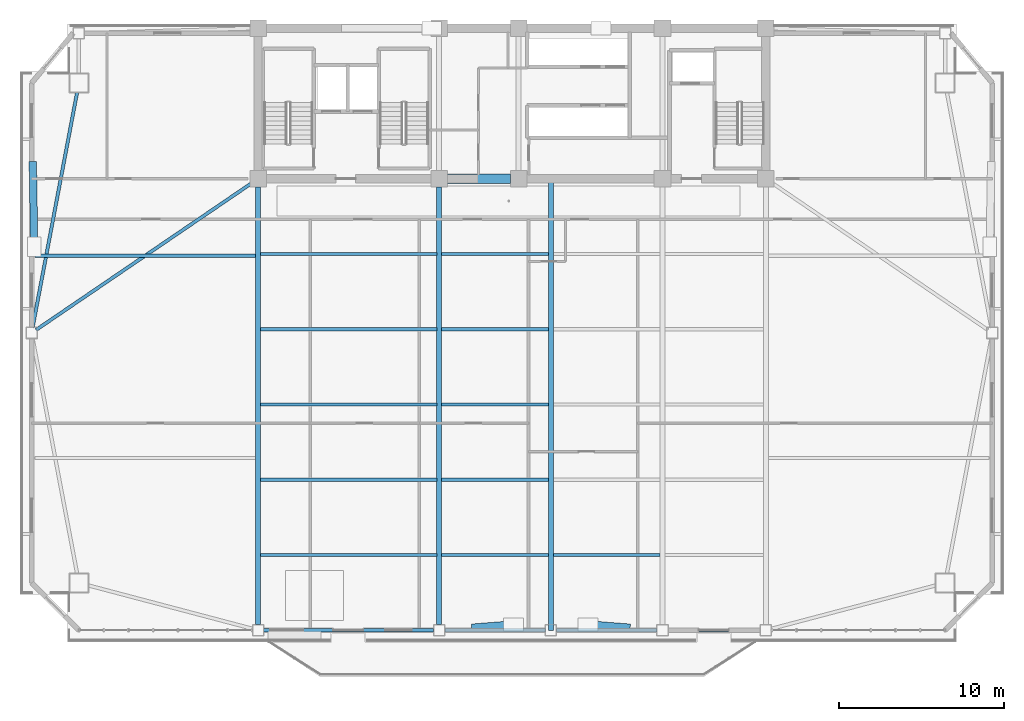
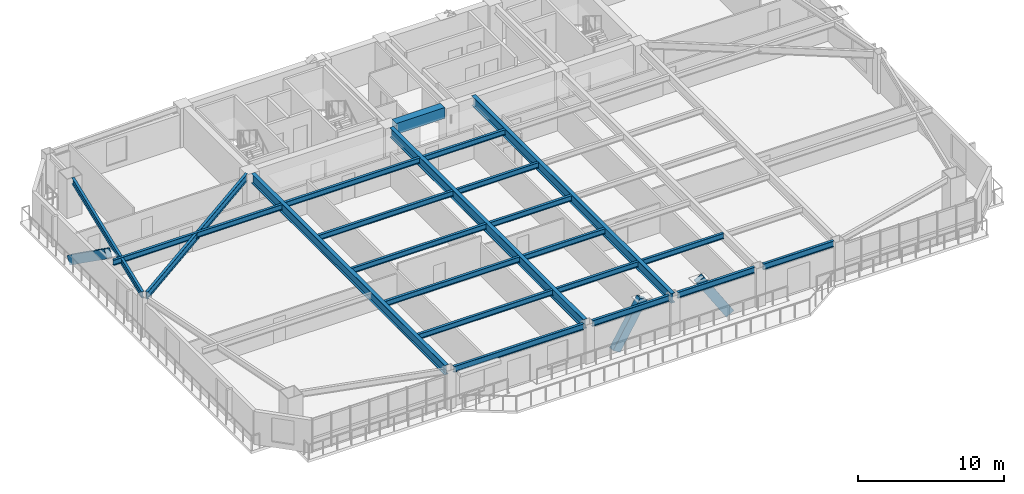
# One storey, part 3 of 15: 22 beams, 3 members.
"""IFC4 building model written with IfcOpenShell, lengths in metres."""

from ifc_helpers import new_model, si_unit, direction, frame, origin, origin_2d, place, context, subcontext, project, spatial, rectangle, hollow_rectangle, i_section, extrude, source, transform, mapped, material, material_profile, profile_set, type_object, element, save


model = new_model("IFC4")

# Units and contexts
model_context = context("Model", 3, precision=1e-05, world=origin(), true_north=direction((0.0, 1.0)))
body_context = subcontext(model_context, "Body", "Model", "MODEL_VIEW")
ifc_project = project(units=[si_unit("LENGTHUNIT", "METRE"), si_unit("AREAUNIT", "SQUARE_METRE"), si_unit("VOLUMEUNIT", "CUBIC_METRE"), si_unit("PLANEANGLEUNIT", "RADIAN"), si_unit("MASSUNIT", "GRAM", prefix="KILO")], contexts=[model_context])

# Site, building, storey
site_placement = place(None, origin())
site = spatial("IfcSite", under=ifc_project, at=site_placement, CompositionType="ELEMENT")
building_placement = place(site_placement, origin())
building = spatial("IfcBuilding", under=site, at=building_placement, Name="Giltprow Tower", CompositionType="ELEMENT")
storey_placement = place(building_placement, frame((0.0, 0.0, 184.199951171875)))
storey = spatial("IfcBuildingStorey", under=building, at=storey_placement, Name="L46", CompositionType="ELEMENT", Elevation=184.199951171875)

# Beams
ifc_material_1 = material(Name="Structural steel Q355B", Category="steel")
ifc_material_profile_1 = material_profile(ifc_material_1, i_section(OverallWidth=0.199951171875, OverallDepth=0.449951171875, WebThickness=0.009033203125, FlangeThickness=0.013916015625, at=origin_2d()), Name="HN 450x200x9x14")
ifc_profile_set_1 = profile_set([ifc_material_profile_1], Name="Structural steel Q355B")
beam_type_1 = type_object("IfcBeamType", Name="BM-JOIST-HN450", PredefinedType="JOIST", material=ifc_profile_set_1)
shared_shape_1 = source(origin(), body_context, "Body", "SweptSolid", [
    extrude(i_section(OverallWidth=0.199951171875, OverallDepth=0.449951171875, WebThickness=0.009033203125, FlangeThickness=0.013916015625, at=origin_2d()), origin(), (0.0, 0.0, 1.0), 10.659912109375),
])
for number, where, z_axis, x_axis, name in (
    (1, (19.9951171875, 14.702880859375, 3.045166015625), (1.0, 0.0, 0.0), (0.0, 1.0, 0.0), "L46 Composite Floor Joist 1-1"),
    (2, (19.9951171875, 19.2529296875, 3.045166015625), (1.0, 0.0, 0.0), (0.0, 1.0, 0.0), "L46 Composite Floor Joist 2-1"),
    (3, (19.9951171875, 23.802001953125, 3.045166015625), (1.0, 0.0, 0.0), (0.0, 1.0, 0.0), "L46 Composite Floor Joist 3-1"),
    (4, (19.9951171875, 28.35107421875, 3.045166015625), (1.0, 0.0, 0.0), (0.0, 1.0, 0.0), "L46 Composite Floor Joist 4-1"),
    (5, (19.9951171875, 32.90087890625, 3.045166015625), (1.0, 0.0, 0.0), (0.0, 1.0, 0.0), "L46 Composite Floor Joist 5-1"),
):
    element("IfcBeam", number, at=place(storey_placement, frame(where, z_axis=z_axis, x_axis=x_axis)), inside=storey, type_object=beam_type_1, Name=name, PredefinedType="JOIST", context=body_context, shape_type="MappedRepresentation", body=[
        mapped(shared_shape_1, transform((0.0, 0.0, 0.0), x_axis=(1.0, 0.0, 0.0), y_axis=(0.0, 1.0, 0.0), z_axis=(0.0, 0.0, 1.0), scale=1.0)),
    ])
shared_shape_2 = source(origin(), body_context, "Body", "SweptSolid", [
    extrude(i_section(OverallWidth=0.199951171875, OverallDepth=0.449951171875, WebThickness=0.009033203125, FlangeThickness=0.013916015625, at=origin_2d()), origin(), (0.0, 0.0, 1.0), 6.4599609375),
])
for number, where, z_axis, x_axis, name in (
    (6, (30.945068359375, 14.702880859375, 3.045166015625), (1.0, 0.0, 0.0), (0.0, 1.0, 0.0), "L46 Composite Floor Joist 1-2"),
    (7, (37.695068359375, 14.702880859375, 3.045166015625), (1.0, 0.0, 0.0), (0.0, 1.0, 0.0), "L46 Composite Floor Joist 1-3"),
    (8, (30.945068359375, 19.2529296875, 3.045166015625), (1.0, 0.0, 0.0), (0.0, 1.0, 0.0), "L46 Composite Floor Joist 2-2"),
    (9, (30.945068359375, 23.802001953125, 3.045166015625), (1.0, 0.0, 0.0), (0.0, 1.0, 0.0), "L46 Composite Floor Joist 3-2"),
    (10, (30.945068359375, 28.35107421875, 3.045166015625), (1.0, 0.0, 0.0), (0.0, 1.0, 0.0), "L46 Composite Floor Joist 4-2"),
    (11, (30.945068359375, 32.90087890625, 3.045166015625), (1.0, 0.0, 0.0), (0.0, 1.0, 0.0), "L46 Composite Floor Joist 5-2"),
):
    element("IfcBeam", number, at=place(storey_placement, frame(where, z_axis=z_axis, x_axis=x_axis)), inside=storey, type_object=beam_type_1, Name=name, PredefinedType="JOIST", context=body_context, shape_type="MappedRepresentation", body=[
        mapped(shared_shape_2, transform((0.0, 0.0, 0.0), x_axis=(1.0, 0.0, 0.0), y_axis=(0.0, 1.0, 0.0), z_axis=(0.0, 0.0, 1.0), scale=1.0)),
    ])
ifc_material_2 = material(Name="Concrete C50", Category="concrete")
ifc_material_profile_2 = material_profile(ifc_material_2, rectangle(XDim=0.60009765625, YDim=0.89990234375, at=origin_2d()), Name="RC 900x600")
ifc_profile_set_2 = profile_set([ifc_material_profile_2], Name="Concrete C50")
beam_type_2 = type_object("IfcBeamType", Name="BM-CPL-RC900", PredefinedType="LINTEL", material=ifc_profile_set_2)
shared_shape_3 = source(origin(), body_context, "Body", "SweptSolid", [
    extrude(rectangle(XDim=0.60009765625, YDim=0.89990234375, at=origin_2d()), origin(), (0.0, 0.0, 1.0), 3.830078125),
])
beam_1_placement = place(storey_placement, frame((31.284912109375, 37.449951171875, 2.820068359375), z_axis=(1.0, 0.0, 0.0), x_axis=(0.0, 1.0, 0.0)))
element("IfcBeam", 12, at=beam_1_placement, inside=storey, type_object=beam_type_2, Name="L46 Core Coupling Beam CB-1", PredefinedType="LINTEL", context=body_context, shape_type="MappedRepresentation", body=[
    mapped(shared_shape_3, transform((0.0, 0.0, 0.0), x_axis=(1.0, 0.0, 0.0), y_axis=(0.0, 1.0, 0.0), z_axis=(0.0, 0.0, 1.0), scale=1.0)),
])
ifc_material_profile_3 = material_profile(ifc_material_1, i_section(OverallWidth=0.199951171875, OverallDepth=0.5, WebThickness=0.010009765625, FlangeThickness=0.01611328125, at=origin_2d()), Name="HN 500x200x10x16")
ifc_profile_set_3 = profile_set([ifc_material_profile_3], Name="Structural steel Q355B")
beam_type_3 = type_object("IfcBeamType", Name="BM-SPAN-HN500", PredefinedType="SPANDREL", material=ifc_profile_set_3)
shared_shape_4 = source(origin(), body_context, "Body", "SweptSolid", [
    extrude(i_section(OverallWidth=0.199951171875, OverallDepth=0.5, WebThickness=0.010009765625, FlangeThickness=0.01611328125, at=origin_2d()), origin(), (0.0, 0.0, 1.0), 10.280029296875),
])
beam_2_placement = place(storey_placement, frame((20.18505859375, 10.154052734375, 3.02001953125), z_axis=(1.0, 0.0, 0.0), x_axis=(0.0, 1.0, 0.0)))
element("IfcBeam", 13, at=beam_2_placement, inside=storey, type_object=beam_type_3, Name="L46 Perimeter Spandrel Beam S1-S2", PredefinedType="SPANDREL", context=body_context, shape_type="MappedRepresentation", body=[
    mapped(shared_shape_4, transform((0.0, 0.0, 0.0), x_axis=(1.0, 0.0, 0.0), y_axis=(0.0, 1.0, 0.0), z_axis=(0.0, 0.0, 1.0), scale=1.0)),
])
shared_shape_5 = source(origin(), body_context, "Body", "SweptSolid", [
    extrude(i_section(OverallWidth=0.199951171875, OverallDepth=0.5, WebThickness=0.010009765625, FlangeThickness=0.01611328125, at=origin_2d()), origin(), (0.0, 0.0, 1.0), 6.080078125),
])
for number, where, z_axis, x_axis, name in (
    (14, (31.135009765625, 10.154052734375, 3.02001953125), (1.0, 0.0, 0.0), (0.0, 1.0, 0.0), "L46 Perimeter Spandrel Beam S2-S_MID"),
    (15, (37.885009765625, 10.154052734375, 3.02001953125), (1.0, 0.0, 0.0), (0.0, 1.0, 0.0), "L46 Perimeter Spandrel Beam S_MID-S3"),
):
    element("IfcBeam", number, at=place(storey_placement, frame(where, z_axis=z_axis, x_axis=x_axis)), inside=storey, type_object=beam_type_3, Name=name, PredefinedType="SPANDREL", context=body_context, shape_type="MappedRepresentation", body=[
        mapped(shared_shape_5, transform((0.0, 0.0, 0.0), x_axis=(1.0, 0.0, 0.0), y_axis=(0.0, 1.0, 0.0), z_axis=(0.0, 0.0, 1.0), scale=1.0)),
    ])
shared_shape_6 = source(origin(), body_context, "Body", "SweptSolid", [
    extrude(i_section(OverallWidth=0.199951171875, OverallDepth=0.5, WebThickness=0.010009765625, FlangeThickness=0.01611328125, at=origin_2d()), origin(), (0.0, 0.0, 1.0), 5.580078125),
])
beam_3_placement = place(storey_placement, frame((44.635009765625, 10.154052734375, 3.02001953125), z_axis=(1.0, 0.0, 0.0), x_axis=(0.0, 1.0, 0.0)))
element("IfcBeam", 16, at=beam_3_placement, inside=storey, type_object=beam_type_3, Name="L46 Perimeter Spandrel Beam S3-S4", PredefinedType="SPANDREL", context=body_context, shape_type="MappedRepresentation", body=[
    mapped(shared_shape_6, transform((0.0, 0.0, 0.0), x_axis=(1.0, 0.0, 0.0), y_axis=(0.0, 1.0, 0.0), z_axis=(0.0, 0.0, 1.0), scale=1.0)),
])
shared_shape_7 = source(origin(), body_context, "Body", "SweptSolid", [
    extrude(i_section(OverallWidth=0.199951171875, OverallDepth=0.5, WebThickness=0.010009765625, FlangeThickness=0.01611328125, at=origin_2d()), origin(), (0.0, 0.0, 1.0), 14.46044921875),
])
beam_4_placement = place(storey_placement, frame((8.906005859375, 42.6640625, 3.02001953125), z_axis=(-0.186021185186, -0.982545733624, 0.0), x_axis=(0.982545733624, -0.186021185186, 0.0)))
element("IfcBeam", 17, at=beam_4_placement, inside=storey, type_object=beam_type_3, Name="L46 Perimeter Spandrel Beam MC_NW-W_MID", PredefinedType="SPANDREL", context=body_context, shape_type="MappedRepresentation", body=[
    mapped(shared_shape_7, transform((0.0, 0.0, 0.0), x_axis=(1.0, 0.0, 0.0), y_axis=(0.0, 1.0, 0.0), z_axis=(0.0, 0.0, 1.0), scale=1.0)),
])
ifc_material_profile_4 = material_profile(ifc_material_1, i_section(OverallWidth=0.300048828125, OverallDepth=0.800048828125, WebThickness=0.013916015625, FlangeThickness=0.02587890625, at=origin_2d()), Name="HN 800x300x14x26")
ifc_profile_set_4 = profile_set([ifc_material_profile_4], Name="Structural steel Q355B")
beam_type_4 = type_object("IfcBeamType", Name="BM-GIRD-HN800", PredefinedType="BEAM", material=ifc_profile_set_4)
shared_shape_8 = source(origin(), body_context, "Body", "SweptSolid", [
    extrude(i_section(OverallWidth=0.300048828125, OverallDepth=0.800048828125, WebThickness=0.013916015625, FlangeThickness=0.02587890625, at=origin_2d()), origin(), (0.0, 0.0, 1.0), 26.47607421875),
])
for number, where, z_axis, x_axis, name in (
    (18, (19.85009765625, 10.489013671875, 2.8701171875), (0.0, 1.0, 0.0), (-1.0, 0.0, 0.0), "L46 Primary Lease Girder S1"),
    (19, (30.800048828125, 10.489013671875, 2.8701171875), (0.0, 1.0, 0.0), (-1.0, 0.0, 0.0), "L46 Primary Lease Girder S2"),
):
    element("IfcBeam", number, at=place(storey_placement, frame(where, z_axis=z_axis, x_axis=x_axis)), inside=storey, type_object=beam_type_4, Name=name, PredefinedType="BEAM", context=body_context, shape_type="MappedRepresentation", body=[
        mapped(shared_shape_8, transform((0.0, 0.0, 0.0), x_axis=(1.0, 0.0, 0.0), y_axis=(0.0, 1.0, 0.0), z_axis=(0.0, 0.0, 1.0), scale=1.0)),
    ])
shared_shape_9 = source(origin(), body_context, "Body", "SweptSolid", [
    extrude(i_section(OverallWidth=0.300048828125, OverallDepth=0.800048828125, WebThickness=0.013916015625, FlangeThickness=0.02587890625, at=origin_2d()), origin(), (0.0, 0.0, 1.0), 27.2958984375),
])
beam_5_placement = place(storey_placement, frame((37.550048828125, 10.154052734375, 2.8701171875), z_axis=(0.0, 1.0, 0.0), x_axis=(-1.0, 0.0, 0.0)))
element("IfcBeam", 20, at=beam_5_placement, inside=storey, type_object=beam_type_4, Name="L46 Central Lease Girder SMID", PredefinedType="BEAM", context=body_context, shape_type="MappedRepresentation", body=[
    mapped(shared_shape_9, transform((0.0, 0.0, 0.0), x_axis=(1.0, 0.0, 0.0), y_axis=(0.0, 1.0, 0.0), z_axis=(0.0, 0.0, 1.0), scale=1.0)),
])
ifc_material_profile_5 = material_profile(ifc_material_1, i_section(OverallWidth=0.199951171875, OverallDepth=0.60009765625, WebThickness=0.010986328125, FlangeThickness=0.01708984375, at=origin_2d()), Name="HN 600x200x11x17")
ifc_profile_set_5 = profile_set([ifc_material_profile_5], Name="Structural steel Q355B")
beam_type_5 = type_object("IfcBeamType", Name="BM-GIRD-HN600", PredefinedType="BEAM", material=ifc_profile_set_5)
shared_shape_10 = source(origin(), body_context, "Body", "SweptSolid", [
    extrude(i_section(OverallWidth=0.199951171875, OverallDepth=0.60009765625, WebThickness=0.010986328125, FlangeThickness=0.01708984375, at=origin_2d()), origin(), (0.0, 0.0, 1.0), 15.74755859375),
])
beam_6_placement = place(storey_placement, frame((6.430908203125, 28.31591796875, 2.969970703125), z_axis=(0.826666606426, 0.562692031061, 0.0), x_axis=(-0.562692031061, 0.826666606426, 0.0)))
element("IfcBeam", 21, at=beam_6_placement, inside=storey, type_object=beam_type_5, Name="L46 West Wing Primary Girder", PredefinedType="BEAM", context=body_context, shape_type="MappedRepresentation", body=[
    mapped(shared_shape_10, transform((0.0, 0.0, 0.0), x_axis=(1.0, 0.0, 0.0), y_axis=(0.0, 1.0, 0.0), z_axis=(0.0, 0.0, 1.0), scale=1.0)),
])
shared_shape_11 = source(origin(), body_context, "Body", "SweptSolid", [
    extrude(i_section(OverallWidth=0.199951171875, OverallDepth=0.449951171875, WebThickness=0.009033203125, FlangeThickness=0.013916015625, at=origin_2d()), origin(), (0.0, 0.0, 1.0), 13.3310546875),
])
beam_7_placement = place(storey_placement, frame((6.3740234375, 32.7880859375, 3.045166015625), z_axis=(1.0, 0.0, 0.0), x_axis=(0.0, 1.0, 0.0)))
element("IfcBeam", 22, at=beam_7_placement, inside=storey, type_object=beam_type_1, Name="L46 West Wing Floor Joist 2", PredefinedType="JOIST", context=body_context, shape_type="MappedRepresentation", body=[
    mapped(shared_shape_11, transform((0.0, 0.0, 0.0), x_axis=(1.0, 0.0, 0.0), y_axis=(0.0, 1.0, 0.0), z_axis=(0.0, 0.0, 1.0), scale=1.0)),
])

# Members
ifc_material_3 = material(Name="Structural steel Q420GJC", Category="steel")
ifc_material_profile_6 = material_profile(ifc_material_3, hollow_rectangle(XDim=0.449951171875, YDim=0.699951171875, WallThickness=0.031982421875, at=origin_2d()), Name="RHS 700x450x32")
ifc_profile_set_6 = profile_set([ifc_material_profile_6], Name="Structural steel Q420GJC")
member_type = type_object("IfcMemberType", Name="MBR-MEGA-RHS700", PredefinedType="BRACE", material=ifc_profile_set_6)
shared_shape_12 = source(origin(), body_context, "Body", "SweptSolid", [
    extrude(hollow_rectangle(XDim=0.449951171875, YDim=0.699951171875, WallThickness=0.031982421875, at=origin_2d()), origin(), (0.0, 0.0, 1.0), 4.16455078125),
])
for number, where, z_axis, x_axis, name in (
    (23, (33.050048828125, 10.3291015625, 0.0), (0.540275668957, 0.042209036637, 0.840428818377), (-0.077887667293, 0.996962141349, 0.0), "L46 Chevron Mega-Brace S-L"),
    (24, (42.050048828125, 10.3291015625, 0.0), (-0.540275668957, 0.042209036637, 0.840428818377), (-0.077887667293, -0.996962141349, 0.0), "L46 Chevron Mega-Brace S-R"),
):
    element("IfcMember", number, at=place(storey_placement, frame(where, z_axis=z_axis, x_axis=x_axis)), inside=storey, type_object=member_type, Name=name, PredefinedType="BRACE", context=body_context, shape_type="MappedRepresentation", body=[
        mapped(shared_shape_12, transform((0.0, 0.0, 0.0), x_axis=(1.0, 0.0, 0.0), y_axis=(0.0, 1.0, 0.0), z_axis=(0.0, 0.0, 1.0), scale=1.0)),
    ])
shared_shape_13 = source(origin(), body_context, "Body", "SweptSolid", [
    extrude(hollow_rectangle(XDim=0.449951171875, YDim=0.699951171875, WallThickness=0.031982421875, at=origin_2d()), origin(), (0.0, 0.0, 1.0), 6.06201171875),
])
member_placement = place(storey_placement, frame((6.23193359375, 38.2890625, 0.0), z_axis=(0.01304862118, -0.816384567717, 0.577361213694), x_axis=(0.999872289538, 0.015981383346, 0.0)))
element("IfcMember", 25, at=member_placement, inside=storey, type_object=member_type, Name="L46 Chevron Mega-Brace W-R", PredefinedType="BRACE", context=body_context, shape_type="MappedRepresentation", body=[
    mapped(shared_shape_13, transform((0.0, 0.0, 0.0), x_axis=(1.0, 0.0, 0.0), y_axis=(0.0, 1.0, 0.0), z_axis=(0.0, 0.0, 1.0), scale=1.0)),
])

save(model, "model.ifc")
